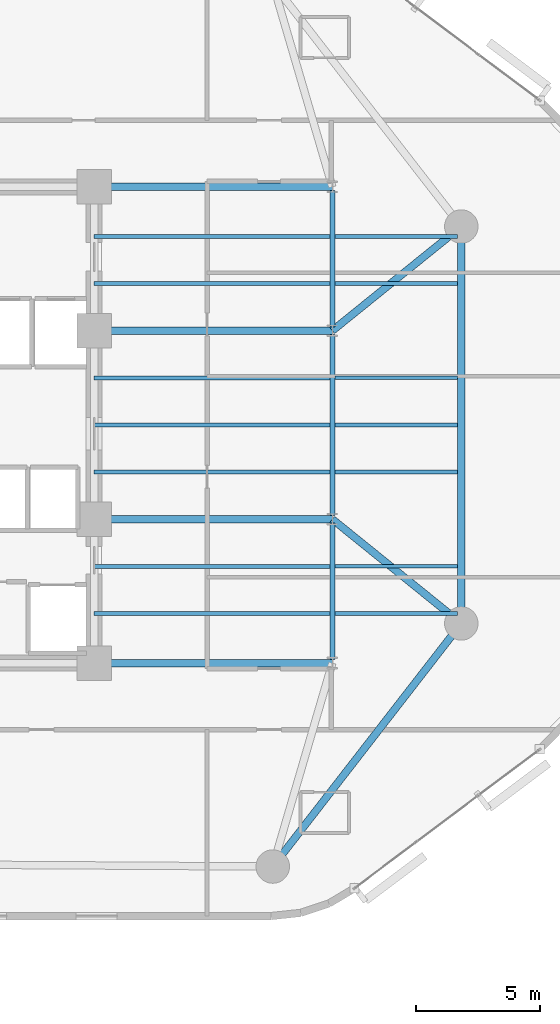
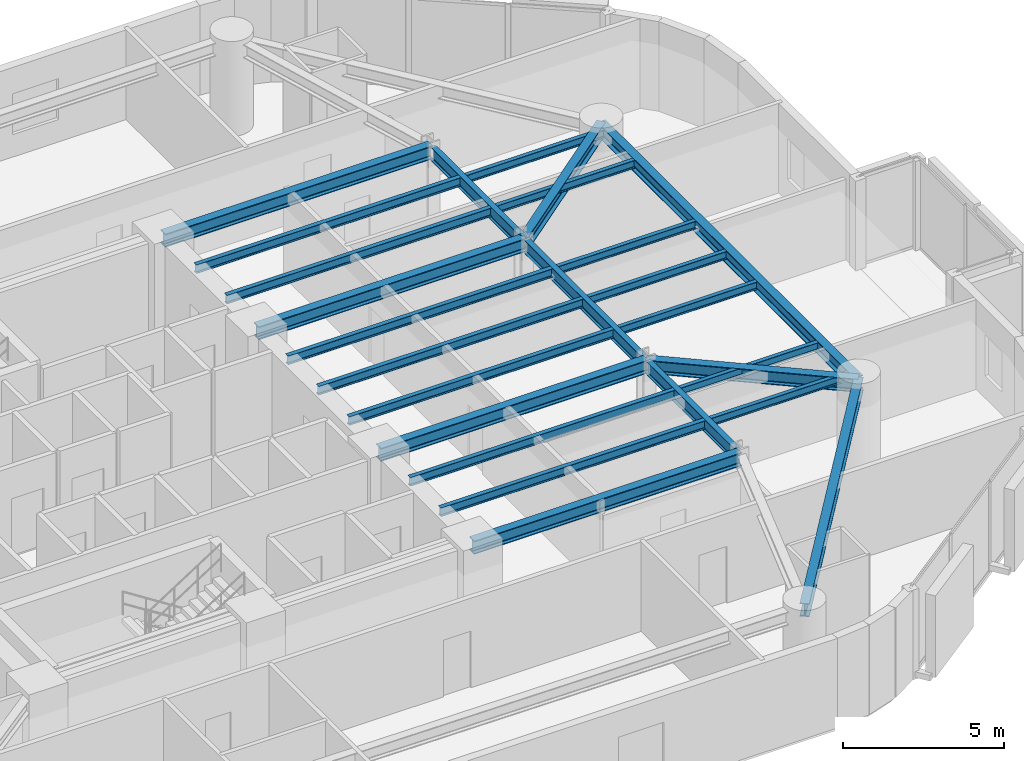
# One storey, part 3 of 13: 25 beams.
"""IFC4 building model written with IfcOpenShell, lengths in metres."""

from ifc_helpers import new_model, si_unit, direction, frame, origin, origin_2d, place, context, subcontext, project, spatial, i_section, extrude, material, material_profile, profile_set, type_object, element, save


model = new_model("IFC4")

# Units and contexts
model_context = context("Model", 3, precision=1e-05, world=origin(), true_north=direction((0.0, 1.0)))
body_context = subcontext(model_context, "Body", "Model", "MODEL_VIEW")
ifc_project = project(units=[si_unit("LENGTHUNIT", "METRE"), si_unit("AREAUNIT", "SQUARE_METRE"), si_unit("VOLUMEUNIT", "CUBIC_METRE"), si_unit("PLANEANGLEUNIT", "RADIAN"), si_unit("MASSUNIT", "GRAM", prefix="KILO")], contexts=[model_context])

# Site, building, storey
site_placement = place(None, origin())
site = spatial("IfcSite", under=ifc_project, at=site_placement, CompositionType="ELEMENT")
building_placement = place(site_placement, origin())
building = spatial("IfcBuilding", under=site, at=building_placement, Name="An Khanh Terracotta Commons", CompositionType="ELEMENT")
storey_placement = place(building_placement, frame((0.0, 0.0, 125.89990234375)))
storey = spatial("IfcBuildingStorey", under=building, at=storey_placement, Name="L33", CompositionType="ELEMENT", Elevation=125.89990234375)

# Beams
ifc_material = material(Name="Steel S355J2", Category="steel")
ifc_material_profile_1 = material_profile(ifc_material, i_section(OverallWidth=0.300048828125, OverallDepth=0.5, WebThickness=0.014404296875, FlangeThickness=0.028076171875, FilletRadius=0.027099609375, at=origin_2d()), Name="HEB500")
ifc_profile_set_1 = profile_set([ifc_material_profile_1], Name="Steel S355J2")
beam_type_1 = type_object("IfcBeamType", Name="BM-HEB500", PredefinedType="BEAM", material=ifc_profile_set_1)
beam_1_placement = place(storey_placement, frame((44.39990234375, 6.199951171875, 3.150146484375), z_axis=(0.612826529795, 0.790217466511, 0.0), x_axis=(-0.790217466511, 0.612826529795, 0.0)))
element("IfcBeam", 1, at=beam_1_placement, inside=storey, type_object=beam_type_1, Name="L33 Perimeter Ring Spandrel 2", PredefinedType="BEAM", context=body_context, shape_type="SweptSolid", body=[
    extrude(i_section(OverallWidth=0.300048828125, OverallDepth=0.5, WebThickness=0.014404296875, FlangeThickness=0.028076171875, FilletRadius=0.027099609375, at=origin_2d()), origin(), (0.0, 0.0, 1.0), 12.401611328125),
])
beam_2_placement = place(storey_placement, frame((52.0, 16.0, 3.150146484375), z_axis=(0.0, 1.0, 0.0), x_axis=(-1.0, 0.0, 0.0)))
element("IfcBeam", 2, at=beam_2_placement, inside=storey, type_object=beam_type_1, Name="L33 Perimeter Ring Spandrel 3", PredefinedType="BEAM", context=body_context, shape_type="SweptSolid", body=[
    extrude(i_section(OverallWidth=0.300048828125, OverallDepth=0.5, WebThickness=0.014404296875, FlangeThickness=0.028076171875, FilletRadius=0.027099609375, at=origin_2d()), origin(), (0.0, 0.0, 1.0), 16.0),
])
for number, where, z_axis, x_axis, name in (
    (3, (37.199951171875, 14.39990234375, 3.150146484375), (1.0, 0.0, 0.0), (0.0, 1.0, 0.0), "L33 East Primary Floor Girder 1"),
    (4, (37.199951171875, 20.199951171875, 3.150146484375), (1.0, 0.0, 0.0), (0.0, 1.0, 0.0), "L33 East Primary Floor Girder 2"),
    (5, (37.199951171875, 27.800048828125, 3.150146484375), (1.0, 0.0, 0.0), (0.0, 1.0, 0.0), "L33 East Primary Floor Girder 3"),
    (6, (37.199951171875, 33.60009765625, 3.150146484375), (1.0, 0.0, 0.0), (0.0, 1.0, 0.0), "L33 East Primary Floor Girder 4"),
):
    element("IfcBeam", number, at=place(storey_placement, frame(where, z_axis=z_axis, x_axis=x_axis)), inside=storey, type_object=beam_type_1, Name=name, PredefinedType="BEAM", context=body_context, shape_type="SweptSolid", body=[
        extrude(i_section(OverallWidth=0.300048828125, OverallDepth=0.5, WebThickness=0.014404296875, FlangeThickness=0.028076171875, FilletRadius=0.027099609375, at=origin_2d()), origin(), (0.0, 0.0, 1.0), 9.60009765625),
    ])
for number, where, z_axis, x_axis, name in (
    (7, (52.0, 16.0, 3.150146484375), (-0.777941866883, 0.628336256913, 0.0), (-0.628336256913, -0.777941866883, 0.0), "L33 Mega-Column Tie Girder 3"),
    (8, (52.0, 32.0, 3.150146484375), (-0.777941866883, -0.628336256913, 0.0), (0.628336256913, -0.777941866883, 0.0), "L33 Mega-Column Tie Girder 4"),
):
    element("IfcBeam", number, at=place(storey_placement, frame(where, z_axis=z_axis, x_axis=x_axis)), inside=storey, type_object=beam_type_1, Name=name, PredefinedType="BEAM", context=body_context, shape_type="SweptSolid", body=[
        extrude(i_section(OverallWidth=0.300048828125, OverallDepth=0.5, WebThickness=0.014404296875, FlangeThickness=0.028076171875, FilletRadius=0.027099609375, at=origin_2d()), origin(), (0.0, 0.0, 1.0), 6.684326171875),
    ])
ifc_material_profile_2 = material_profile(ifc_material, i_section(OverallWidth=0.14990234375, OverallDepth=0.300048828125, WebThickness=0.007080078125, FlangeThickness=0.0107421875, FilletRadius=0.014892578125, at=origin_2d()), Name="IPE300")
ifc_profile_set_2 = profile_set([ifc_material_profile_2], Name="Steel S355J2")
beam_type_2 = type_object("IfcBeamType", Name="BM-IPE300", PredefinedType="JOIST", material=ifc_profile_set_2)
for number, where, z_axis, x_axis, name in (
    (9, (46.89990234375, 16.39990234375, 3.25), (1.0, 0.0, 0.0), (0.0, 1.0, 0.0), "L33 Riverfront Composite Joist 1"),
    (10, (46.89990234375, 18.300048828125, 3.25), (1.0, 0.0, 0.0), (0.0, 1.0, 0.0), "L33 Riverfront Composite Joist 2"),
    (11, (46.89990234375, 22.10009765625, 3.25), (1.0, 0.0, 0.0), (0.0, 1.0, 0.0), "L33 Riverfront Composite Joist 3"),
    (12, (46.89990234375, 24.0, 3.25), (1.0, 0.0, 0.0), (0.0, 1.0, 0.0), "L33 Riverfront Composite Joist 4"),
    (13, (46.89990234375, 25.89990234375, 3.25), (1.0, 0.0, 0.0), (0.0, 1.0, 0.0), "L33 Riverfront Composite Joist 5"),
    (14, (46.89990234375, 29.699951171875, 3.25), (1.0, 0.0, 0.0), (0.0, 1.0, 0.0), "L33 Riverfront Composite Joist 6"),
    (15, (46.89990234375, 31.60009765625, 3.25), (1.0, 0.0, 0.0), (0.0, 1.0, 0.0), "L33 Riverfront Composite Joist 7"),
):
    element("IfcBeam", number, at=place(storey_placement, frame(where, z_axis=z_axis, x_axis=x_axis)), inside=storey, type_object=beam_type_2, Name=name, PredefinedType="JOIST", context=body_context, shape_type="SweptSolid", body=[
        extrude(i_section(OverallWidth=0.14990234375, OverallDepth=0.300048828125, WebThickness=0.007080078125, FlangeThickness=0.0107421875, FilletRadius=0.014892578125, at=origin_2d()), origin(), (0.0, 0.0, 1.0), 4.9501953125),
    ])
ifc_material_profile_3 = material_profile(ifc_material, i_section(OverallWidth=0.159912109375, OverallDepth=0.330078125, WebThickness=0.007568359375, FlangeThickness=0.011474609375, FilletRadius=0.01806640625, at=origin_2d()), Name="IPE330")
ifc_profile_set_3 = profile_set([ifc_material_profile_3], Name="Steel S355J2")
beam_type_3 = type_object("IfcBeamType", Name="BM-IPE330", PredefinedType="JOIST", material=ifc_profile_set_3)
for number, where, z_axis, x_axis, name in (
    (16, (37.199951171875, 16.39990234375, 3.235107421875), (1.0, 0.0, 0.0), (0.0, 1.0, 0.0), "L33 Inboard Composite Joist 1"),
    (17, (37.199951171875, 18.300048828125, 3.235107421875), (1.0, 0.0, 0.0), (0.0, 1.0, 0.0), "L33 Inboard Composite Joist 2"),
    (18, (37.199951171875, 22.10009765625, 3.235107421875), (1.0, 0.0, 0.0), (0.0, 1.0, 0.0), "L33 Inboard Composite Joist 3"),
    (19, (37.199951171875, 24.0, 3.235107421875), (1.0, 0.0, 0.0), (0.0, 1.0, 0.0), "L33 Inboard Composite Joist 4"),
    (20, (37.199951171875, 25.89990234375, 3.235107421875), (1.0, 0.0, 0.0), (0.0, 1.0, 0.0), "L33 Inboard Composite Joist 5"),
    (21, (37.199951171875, 29.699951171875, 3.235107421875), (1.0, 0.0, 0.0), (0.0, 1.0, 0.0), "L33 Inboard Composite Joist 6"),
    (22, (37.199951171875, 31.60009765625, 3.235107421875), (1.0, 0.0, 0.0), (0.0, 1.0, 0.0), "L33 Inboard Composite Joist 7"),
):
    element("IfcBeam", number, at=place(storey_placement, frame(where, z_axis=z_axis, x_axis=x_axis)), inside=storey, type_object=beam_type_3, Name=name, PredefinedType="JOIST", context=body_context, shape_type="SweptSolid", body=[
        extrude(i_section(OverallWidth=0.159912109375, OverallDepth=0.330078125, WebThickness=0.007568359375, FlangeThickness=0.011474609375, FilletRadius=0.01806640625, at=origin_2d()), origin(), (0.0, 0.0, 1.0), 9.5),
    ])
ifc_material_profile_4 = material_profile(ifc_material, i_section(OverallWidth=0.199951171875, OverallDepth=0.5, WebThickness=0.01025390625, FlangeThickness=0.01611328125, FilletRadius=0.02099609375, at=origin_2d()), Name="IPE500")
ifc_profile_set_4 = profile_set([ifc_material_profile_4], Name="Steel S355J2")
beam_type_4 = type_object("IfcBeamType", Name="BM-IPE500", PredefinedType="BEAM", material=ifc_profile_set_4)
beam_3_placement = place(storey_placement, frame((46.800048828125, 14.550048828125, 3.150146484375), z_axis=(0.0, 1.0, 0.0), x_axis=(-1.0, 0.0, 0.0)))
element("IfcBeam", 23, at=beam_3_placement, inside=storey, type_object=beam_type_4, Name="L33 East Spine Girder 1", PredefinedType="BEAM", context=body_context, shape_type="SweptSolid", body=[
    extrude(i_section(OverallWidth=0.199951171875, OverallDepth=0.5, WebThickness=0.01025390625, FlangeThickness=0.01611328125, FilletRadius=0.02099609375, at=origin_2d()), origin(), (0.0, 0.0, 1.0), 5.5),
])
beam_4_placement = place(storey_placement, frame((46.800048828125, 20.35009765625, 3.150146484375), z_axis=(0.0, 1.0, 0.0), x_axis=(-1.0, 0.0, 0.0)))
element("IfcBeam", 24, at=beam_4_placement, inside=storey, type_object=beam_type_4, Name="L33 East Spine Girder 2", PredefinedType="BEAM", context=body_context, shape_type="SweptSolid", body=[
    extrude(i_section(OverallWidth=0.199951171875, OverallDepth=0.5, WebThickness=0.01025390625, FlangeThickness=0.01611328125, FilletRadius=0.02099609375, at=origin_2d()), origin(), (0.0, 0.0, 1.0), 7.2998046875),
])
beam_5_placement = place(storey_placement, frame((46.800048828125, 27.949951171875, 3.150146484375), z_axis=(0.0, 1.0, 0.0), x_axis=(-1.0, 0.0, 0.0)))
element("IfcBeam", 25, at=beam_5_placement, inside=storey, type_object=beam_type_4, Name="L33 East Spine Girder 3", PredefinedType="BEAM", context=body_context, shape_type="SweptSolid", body=[
    extrude(i_section(OverallWidth=0.199951171875, OverallDepth=0.5, WebThickness=0.01025390625, FlangeThickness=0.01611328125, FilletRadius=0.02099609375, at=origin_2d()), origin(), (0.0, 0.0, 1.0), 5.5),
])

save(model, "model.ifc")
